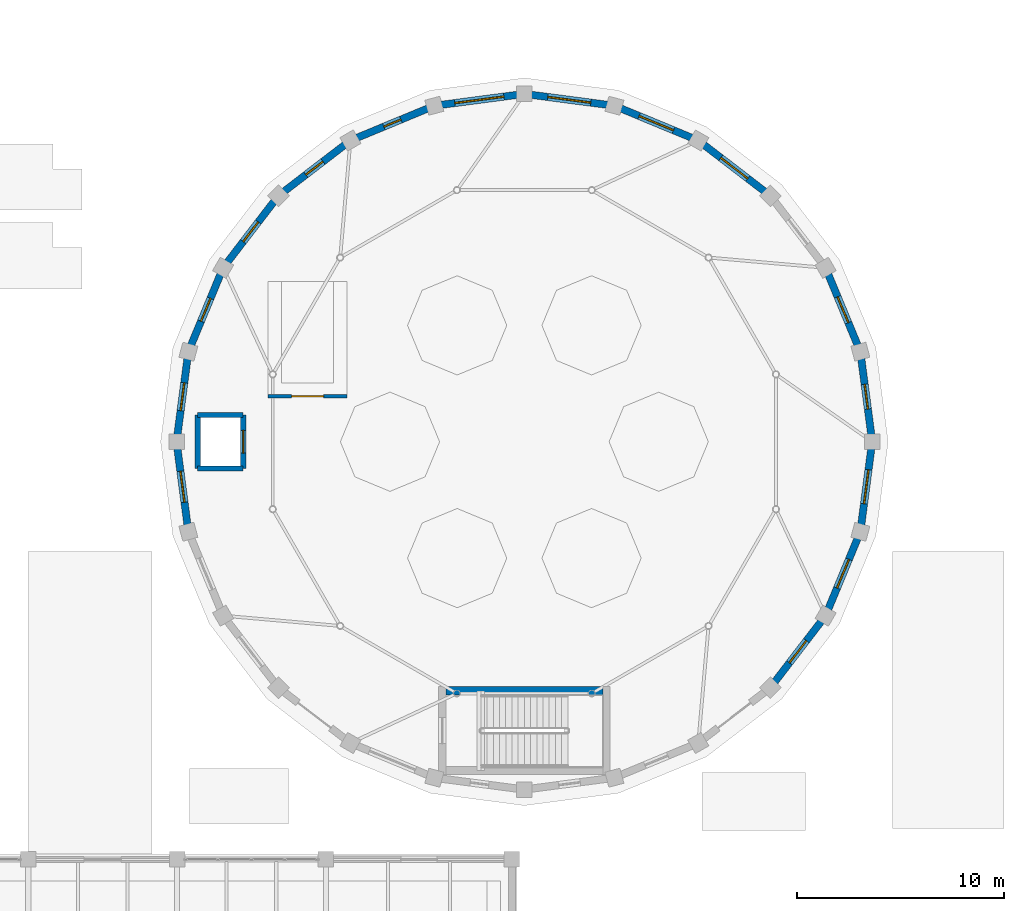
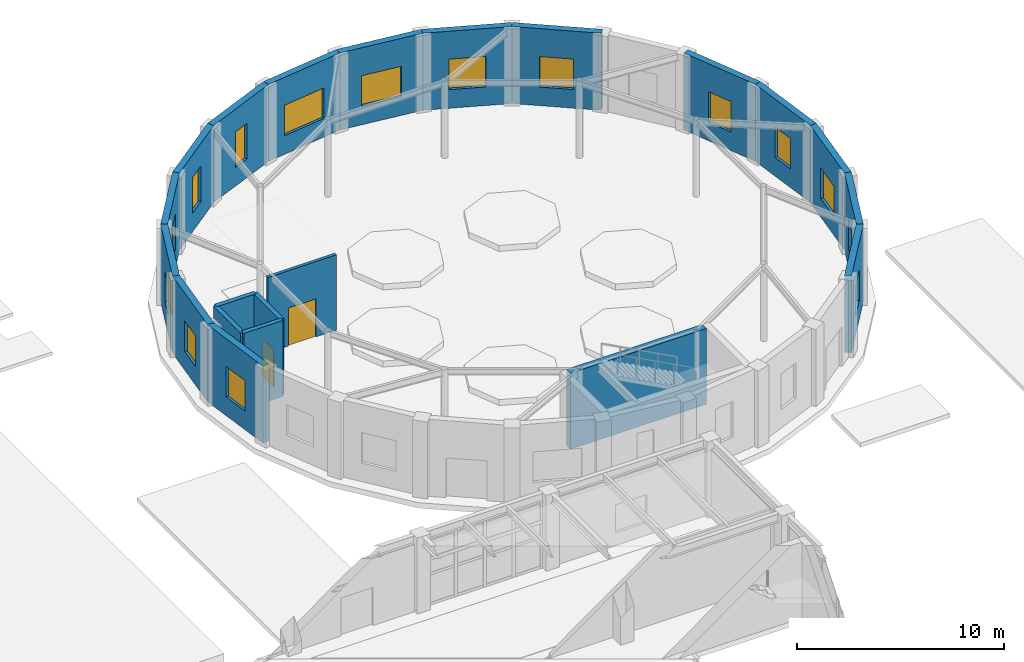
# One storey, part 28 of 39: 21 walls, 15 windows, 2 doors, 17 openings.
"""IFC4 building model written with IfcOpenShell, lengths in metres."""

from ifc_helpers import new_model, si_unit, direction, frame, frame_2d, origin, place, context, subcontext, project, spatial, rectangle, extrude, material, layer, layer_set, type_object, element, fill, save


model = new_model("IFC4")

# Units and contexts
model_context = context("Model", 3, precision=1e-05, world=origin(), true_north=direction((0.0, 1.0)))
body_context = subcontext(model_context, "Body", "Model", "MODEL_VIEW")
ifc_project = project(units=[si_unit("LENGTHUNIT", "METRE"), si_unit("AREAUNIT", "SQUARE_METRE"), si_unit("VOLUMEUNIT", "CUBIC_METRE"), si_unit("PLANEANGLEUNIT", "RADIAN"), si_unit("MASSUNIT", "GRAM", prefix="KILO")], contexts=[model_context])

# Site, building, storey
site_placement = place(None, origin())
site = spatial("IfcSite", under=ifc_project, at=site_placement, CompositionType="ELEMENT")
building_placement = place(site_placement, origin())
building = spatial("IfcBuilding", under=site, at=building_placement, Name="Kandorven Conservatory and Botanical Research Centre", CompositionType="ELEMENT")
storey_placement = place(building_placement, origin())
storey = spatial("IfcBuildingStorey", under=building, at=storey_placement, Name="L00", CompositionType="ELEMENT", Elevation=0.0)

# Walls
ifc_material_1 = material(Name="Concrete C40/50 (M50)", Category="concrete")
ifc_layer_1 = layer(ifc_material_1, 0.39990234375)
ifc_layer_set_1 = layer_set([ifc_layer_1], Name="Concrete C40/50 (M50)")
wall_type_1 = type_object("IfcWallType", Name="Wall_CW-RC-1", PredefinedType="SHEAR", material=ifc_layer_set_1)
wall_1_placement = place(storey_placement, frame((83.800048828125, 35.7548828125, 0.0), z_axis=(0.0, 0.0, 1.0), x_axis=(1.0, 0.0, 0.0)))
element("IfcWall", 1, at=wall_1_placement, inside=storey, type_object=wall_type_1, Name="Core stair shear wall CW-RC-1 ST-V1 L00 side B", PredefinedType="SHEAR", context=body_context, shape_type="SweptSolid", body=[
    extrude(rectangle(XDim=7.599853515625, YDim=0.39990234375, at=frame_2d((3.7998046875, 0.0))), origin(), (0.0, 0.0, 1.0), 4.47998046875),
])
ifc_material_2 = material(Name="Concrete C40/50 (M50)", Category="concrete")
ifc_layer_2 = layer(ifc_material_2, 0.35009765625)
ifc_layer_set_2 = layer_set([ifc_layer_2], Name="Concrete C40/50 (M50)")
wall_type_2 = type_object("IfcWallType", Name="Wall_CW-RC-2", PredefinedType="SHEAR", material=ifc_layer_set_2)
for number, where, z_axis, x_axis, name in (
    (2, (71.800048828125, 46.5, 0.0), (0.0, 0.0, 1.0), (1.0, 0.0, 0.0), "Lift shaft wall CL-1 L00 S"),
    (3, (71.800048828125, 49.10009765625, 0.0), (0.0, 0.0, 1.0), (1.0, 0.0, 0.0), "Lift shaft wall CL-1 L00 N"),
):
    element("IfcWall", number, at=place(storey_placement, frame(where, z_axis=z_axis, x_axis=x_axis)), inside=storey, type_object=wall_type_2, Name=name, PredefinedType="SHEAR", context=body_context, shape_type="SweptSolid", body=[
        extrude(rectangle(XDim=2.199951171875, YDim=0.25, at=frame_2d((1.10009765625, 0.0))), origin(), (0.0, 0.0, 1.0), 4.47998046875),
    ])
wall_2_placement = place(storey_placement, frame((71.800048828125, 46.5, 0.0), z_axis=(0.0, 0.0, 1.0), x_axis=(0.0, 1.0, 0.0)))
element("IfcWall", 4, at=wall_2_placement, inside=storey, type_object=wall_type_2, Name="Lift shaft wall CL-1 L00 W", PredefinedType="SHEAR", context=body_context, shape_type="SweptSolid", body=[
    extrude(rectangle(XDim=2.60009765625, YDim=0.25, at=frame_2d((1.300048828125, 0.0))), origin(), (0.0, 0.0, 1.0), 4.47998046875),
])

# Wall, opening, door
wall_3_placement = place(storey_placement, frame((74.0, 46.5, 0.0), z_axis=(0.0, 0.0, 1.0), x_axis=(0.0, 1.0, 0.0)))
wall_3 = element("IfcWall", 5, at=wall_3_placement, inside=storey, type_object=wall_type_2, Name="Lift shaft wall CL-1 L00 E", PredefinedType="SHEAR", context=body_context, shape_type="SweptSolid", body=[
    extrude(rectangle(XDim=2.60009765625, YDim=0.25, at=frame_2d((1.300048828125, 0.0))), origin(), (0.0, 0.0, 1.0), 4.47998046875),
])
opening_1_placement = place(wall_3_placement, frame((0.75, 0.0, 0.0)))
opening_1 = element("IfcOpeningElement", 6, at=opening_1_placement, cuts=wall_3, Name="Opening LD-01", PredefinedType="OPENING", context=body_context, shape_type="SweptSolid", body=[
    extrude(rectangle(XDim=1.10009765625, YDim=2.199951171875, at=frame_2d((0.550048828125, 1.10009765625))), frame((0.0, 0.135009765625, 0.0), z_axis=(0.0, -1.0, 0.0), x_axis=(1.0, 0.0, 0.0)), (0.0, 0.0, 1.0), 0.27001953125),
])
ifc_material_3 = material(Name="Anodised aluminium sliding landing door", Category="aluminium")
door_type_1 = type_object("IfcDoorType", Name="Door_LD-01", OperationType="DOUBLE_DOOR_SLIDING", PredefinedType="DOOR", material=ifc_material_3)
door_1_placement = place(opening_1_placement, origin())
door_1 = element("IfcDoor", 7, at=door_1_placement, inside=storey, type_object=door_type_1, Name="Lift landing sliding door LD-01 (CL-1 L00)", OperationType="DOUBLE_DOOR_SLIDING", OverallHeight=2.199951171875, OverallWidth=1.10009765625, PredefinedType="DOOR", context=body_context, shape_type="SweptSolid", body=[
    extrude(rectangle(XDim=1.10009765625, YDim=2.199951171875, at=frame_2d((0.550048828125, 1.10009765625))), frame((0.0, 0.02490234375, 0.0), z_axis=(0.0, -1.0, 0.0), x_axis=(1.0, 0.0, 0.0)), (0.0, 0.0, 1.0), 0.050048828125),
])
fill(opening_1, door_1)

# Wall, opening, window
ifc_material_4 = material(Name="Concrete C40/50 (M50)", Category="concrete")
ifc_layer_3 = layer(ifc_material_4, 0.35009765625)
ifc_layer_set_3 = layer_set([ifc_layer_3], Name="Concrete C40/50 (M50)")
wall_type_3 = type_object("IfcWallType", Name="Wall_EW-DR-01", PredefinedType="STANDARD", material=ifc_layer_set_3)
wall_4_placement = place(storey_placement, frame((104.425048828125, 47.800048828125, 0.0), z_axis=(0.0, 0.0, 1.0), x_axis=(-0.130517780591, 0.991445968749, 0.0)))
wall_4 = element("IfcWall", 8, at=wall_4_placement, inside=storey, type_object=wall_type_3, Name="Conservatory board-marked concrete drum wall S01", PredefinedType="STANDARD", context=body_context, shape_type="SweptSolid", body=[
    extrude(rectangle(XDim=4.39208984375, YDim=0.35009765625, at=frame_2d((2.196044921875, 0.0))), origin(), (0.0, 0.0, 1.0), 4.550048828125),
])
opening_2_placement = place(wall_4_placement, frame((1.59619140625, 0.0, 1.10009765625)))
opening_2 = element("IfcOpeningElement", 9, at=opening_2_placement, cuts=wall_4, Name="Opening W-01", PredefinedType="OPENING", context=body_context, shape_type="SweptSolid", body=[
    extrude(rectangle(XDim=1.199951171875, YDim=1.800048828125, at=frame_2d((0.60009765625, 0.89990234375))), frame((0.0, 0.18505859375, 0.0), z_axis=(0.0, -1.0, 0.0), x_axis=(1.0, 0.0, 0.0)), (0.0, 0.0, 1.0), 0.3701171875),
])
ifc_material_5 = material(Name="Double-glazed solar-control low-E glass", Category="glass")
window_type_1 = type_object("IfcWindowType", Name="Win_W-01", PartitioningType="DOUBLE_PANEL_VERTICAL", PredefinedType="WINDOW", material=ifc_material_5)
window_1_placement = place(opening_2_placement, origin())
window_1 = element("IfcWindow", 10, at=window_1_placement, inside=storey, type_object=window_type_1, Name="Conservatory splayed drum window W-01", OverallHeight=1.800048828125, OverallWidth=1.199951171875, PartitioningType="SINGLE_PANEL", PredefinedType="WINDOW", context=body_context, shape_type="SweptSolid", body=[
    extrude(rectangle(XDim=1.199951171875, YDim=1.800048828125, at=frame_2d((0.60009765625, 0.89990234375))), frame((0.0, 0.030029296875, 0.0), z_axis=(0.0, -1.0, 0.0), x_axis=(1.0, 0.0, 0.0)), (0.0, 0.0, 1.0), 0.06005859375),
])
fill(opening_2, window_1)

wall_5_placement = place(storey_placement, frame((103.851806640625, 52.154541015625, 0.0), z_axis=(0.0, 0.0, 1.0), x_axis=(-0.382700340551, 0.92387252873, 0.0)))
wall_5 = element("IfcWall", 11, at=wall_5_placement, inside=storey, type_object=wall_type_3, Name="Conservatory board-marked concrete drum wall S02", PredefinedType="STANDARD", context=body_context, shape_type="SweptSolid", body=[
    extrude(rectangle(XDim=4.392333984375, YDim=0.35009765625, at=frame_2d((2.1962890625, 0.0))), origin(), (0.0, 0.0, 1.0), 4.550048828125),
])
opening_3_placement = place(wall_5_placement, frame((1.52099609375, 0.0, 1.10009765625)))
opening_3 = element("IfcOpeningElement", 12, at=opening_3_placement, cuts=wall_5, Name="Opening W-02", PredefinedType="OPENING", context=body_context, shape_type="SweptSolid", body=[
    extrude(rectangle(XDim=1.35009765625, YDim=1.800048828125, at=frame_2d((0.675048828125, 0.89990234375))), frame((0.0, 0.18505859375, 0.0), z_axis=(0.0, -1.0, 0.0), x_axis=(1.0, 0.0, 0.0)), (0.0, 0.0, 1.0), 0.3701171875),
])
ifc_material_6 = material(Name="Double-glazed solar-control low-E glass", Category="glass")
window_type_2 = type_object("IfcWindowType", Name="Win_W-02", PartitioningType="DOUBLE_PANEL_VERTICAL", PredefinedType="WINDOW", material=ifc_material_6)
window_2_placement = place(opening_3_placement, origin())
window_2 = element("IfcWindow", 13, at=window_2_placement, inside=storey, type_object=window_type_2, Name="Conservatory splayed drum window W-02", OverallHeight=1.800048828125, OverallWidth=1.35009765625, PartitioningType="SINGLE_PANEL", PredefinedType="WINDOW", context=body_context, shape_type="SweptSolid", body=[
    extrude(rectangle(XDim=1.35009765625, YDim=1.800048828125, at=frame_2d((0.675048828125, 0.89990234375))), frame((0.0, 0.030029296875, 0.0), z_axis=(0.0, -1.0, 0.0), x_axis=(1.0, 0.0, 0.0)), (0.0, 0.0, 1.0), 0.06005859375),
])
fill(opening_3, window_2)

wall_6_placement = place(storey_placement, frame((99.4970703125, 59.697021484375, 0.0), z_axis=(0.0, 0.0, 1.0), x_axis=(-0.793354899977, 0.608759396381, 0.0)))
wall_6 = element("IfcWall", 14, at=wall_6_placement, inside=storey, type_object=wall_type_3, Name="Conservatory board-marked concrete drum wall S04", PredefinedType="STANDARD", context=body_context, shape_type="SweptSolid", body=[
    extrude(rectangle(XDim=4.392333984375, YDim=0.35009765625, at=frame_2d((2.1962890625, 0.0))), origin(), (0.0, 0.0, 1.0), 4.550048828125),
])
opening_4_placement = place(wall_6_placement, frame((1.37109375, 0.0, 1.10009765625)))
opening_4 = element("IfcOpeningElement", 15, at=opening_4_placement, cuts=wall_6, Name="Opening W-04", PredefinedType="OPENING", context=body_context, shape_type="SweptSolid", body=[
    extrude(rectangle(XDim=1.64990234375, YDim=1.800048828125, at=frame_2d((0.824951171875, 0.89990234375))), frame((0.0, 0.18505859375, 0.0), z_axis=(0.0, -1.0, 0.0), x_axis=(1.0, 0.0, 0.0)), (0.0, 0.0, 1.0), 0.3701171875),
])
ifc_material_7 = material(Name="Double-glazed solar-control low-E glass", Category="glass")
window_type_3 = type_object("IfcWindowType", Name="Win_W-04", PartitioningType="DOUBLE_PANEL_VERTICAL", PredefinedType="WINDOW", material=ifc_material_7)
window_3_placement = place(opening_4_placement, origin())
window_3 = element("IfcWindow", 16, at=window_3_placement, inside=storey, type_object=window_type_3, Name="Conservatory splayed drum window W-04", OverallHeight=1.800048828125, OverallWidth=1.64990234375, PartitioningType="SINGLE_PANEL", PredefinedType="WINDOW", context=body_context, shape_type="SweptSolid", body=[
    extrude(rectangle(XDim=1.64990234375, YDim=1.800048828125, at=frame_2d((0.824951171875, 0.89990234375))), frame((0.0, 0.030029296875, 0.0), z_axis=(0.0, -1.0, 0.0), x_axis=(1.0, 0.0, 0.0)), (0.0, 0.0, 1.0), 0.06005859375),
])
fill(opening_4, window_3)

wall_7_placement = place(storey_placement, frame((96.012451171875, 62.370849609375, 0.0), z_axis=(0.0, 0.0, 1.0), x_axis=(-0.92387252873, 0.382700340551, 0.0)))
wall_7 = element("IfcWall", 17, at=wall_7_placement, inside=storey, type_object=wall_type_3, Name="Conservatory board-marked concrete drum wall S05", PredefinedType="STANDARD", context=body_context, shape_type="SweptSolid", body=[
    extrude(rectangle(XDim=4.392333984375, YDim=0.35009765625, at=frame_2d((2.1962890625, 0.0))), origin(), (0.0, 0.0, 1.0), 4.550048828125),
])
opening_5_placement = place(wall_7_placement, frame((1.296142578125, 0.0, 1.10009765625)))
opening_5 = element("IfcOpeningElement", 18, at=opening_5_placement, cuts=wall_7, Name="Opening W-05", PredefinedType="OPENING", context=body_context, shape_type="SweptSolid", body=[
    extrude(rectangle(XDim=1.800048828125, YDim=1.800048828125, at=frame_2d((0.89990234375, 0.89990234375))), frame((0.0, 0.18505859375, 0.0), z_axis=(0.0, -1.0, 0.0), x_axis=(1.0, 0.0, 0.0)), (0.0, 0.0, 1.0), 0.3701171875),
])
ifc_material_8 = material(Name="Double-glazed solar-control low-E glass", Category="glass")
window_type_4 = type_object("IfcWindowType", Name="Win_W-05", PartitioningType="DOUBLE_PANEL_VERTICAL", PredefinedType="WINDOW", material=ifc_material_8)
window_4_placement = place(opening_5_placement, origin())
window_4 = element("IfcWindow", 19, at=window_4_placement, inside=storey, type_object=window_type_4, Name="Conservatory splayed drum window W-05", OverallHeight=1.800048828125, OverallWidth=1.800048828125, PartitioningType="SINGLE_PANEL", PredefinedType="WINDOW", context=body_context, shape_type="SweptSolid", body=[
    extrude(rectangle(XDim=1.800048828125, YDim=1.800048828125, at=frame_2d((0.89990234375, 0.89990234375))), frame((0.0, 0.030029296875, 0.0), z_axis=(0.0, -1.0, 0.0), x_axis=(1.0, 0.0, 0.0)), (0.0, 0.0, 1.0), 0.06005859375),
])
fill(opening_5, window_4)

wall_8_placement = place(storey_placement, frame((91.95458984375, 64.0517578125, 0.0), z_axis=(0.0, 0.0, 1.0), x_axis=(-0.991445968749, 0.130517780591, 0.0)))
wall_8 = element("IfcWall", 20, at=wall_8_placement, inside=storey, type_object=wall_type_3, Name="Conservatory board-marked concrete drum wall S06", PredefinedType="STANDARD", context=body_context, shape_type="SweptSolid", body=[
    extrude(rectangle(XDim=4.39208984375, YDim=0.35009765625, at=frame_2d((2.196044921875, 0.0))), origin(), (0.0, 0.0, 1.0), 4.550048828125),
])
opening_6_placement = place(wall_8_placement, frame((1.14599609375, 0.0, 1.10009765625)))
opening_6 = element("IfcOpeningElement", 21, at=opening_6_placement, cuts=wall_8, Name="Opening W-06", PredefinedType="OPENING", context=body_context, shape_type="SweptSolid", body=[
    extrude(rectangle(XDim=2.10009765625, YDim=1.800048828125, at=frame_2d((1.050048828125, 0.89990234375))), frame((0.0, 0.18505859375, 0.0), z_axis=(0.0, -1.0, 0.0), x_axis=(1.0, 0.0, 0.0)), (0.0, 0.0, 1.0), 0.3701171875),
])
ifc_material_9 = material(Name="Double-glazed solar-control low-E glass", Category="glass")
window_type_5 = type_object("IfcWindowType", Name="Win_W-06", PartitioningType="DOUBLE_PANEL_VERTICAL", PredefinedType="WINDOW", material=ifc_material_9)
window_5_placement = place(opening_6_placement, origin())
window_5 = element("IfcWindow", 22, at=window_5_placement, inside=storey, type_object=window_type_5, Name="Conservatory splayed drum window W-06", OverallHeight=1.800048828125, OverallWidth=2.10009765625, PartitioningType="SINGLE_PANEL", PredefinedType="WINDOW", context=body_context, shape_type="SweptSolid", body=[
    extrude(rectangle(XDim=2.10009765625, YDim=1.800048828125, at=frame_2d((1.050048828125, 0.89990234375))), frame((0.0, 0.030029296875, 0.0), z_axis=(0.0, -1.0, 0.0), x_axis=(1.0, 0.0, 0.0)), (0.0, 0.0, 1.0), 0.06005859375),
])
fill(opening_6, window_5)

wall_9_placement = place(storey_placement, frame((87.60009765625, 64.625, 0.0), z_axis=(0.0, 0.0, 1.0), x_axis=(-0.991446915586, -0.13051058798, 0.0)))
wall_9 = element("IfcWall", 23, at=wall_9_placement, inside=storey, type_object=wall_type_3, Name="Conservatory board-marked concrete drum wall S07", PredefinedType="STANDARD", context=body_context, shape_type="SweptSolid", body=[
    extrude(rectangle(XDim=4.392333984375, YDim=0.35009765625, at=frame_2d((2.1962890625, 0.0))), origin(), (0.0, 0.0, 1.0), 4.550048828125),
])
opening_7_placement = place(wall_9_placement, frame((0.99609375, 0.0, 1.10009765625)))
opening_7 = element("IfcOpeningElement", 24, at=opening_7_placement, cuts=wall_9, Name="Opening W-07", PredefinedType="OPENING", context=body_context, shape_type="SweptSolid", body=[
    extrude(rectangle(XDim=2.39990234375, YDim=1.800048828125, at=frame_2d((1.199951171875, 0.89990234375))), frame((0.0, 0.18505859375, 0.0), z_axis=(0.0, -1.0, 0.0), x_axis=(1.0, 0.0, 0.0)), (0.0, 0.0, 1.0), 0.3701171875),
])
ifc_material_10 = material(Name="Double-glazed solar-control low-E glass", Category="glass")
window_type_6 = type_object("IfcWindowType", Name="Win_W-07", PartitioningType="DOUBLE_PANEL_VERTICAL", PredefinedType="WINDOW", material=ifc_material_10)
window_6_placement = place(opening_7_placement, origin())
window_6 = element("IfcWindow", 25, at=window_6_placement, inside=storey, type_object=window_type_6, Name="Conservatory splayed drum window W-07", OverallHeight=1.800048828125, OverallWidth=2.39990234375, PartitioningType="SINGLE_PANEL", PredefinedType="WINDOW", context=body_context, shape_type="SweptSolid", body=[
    extrude(rectangle(XDim=2.39990234375, YDim=1.800048828125, at=frame_2d((1.199951171875, 0.89990234375))), frame((0.0, 0.030029296875, 0.0), z_axis=(0.0, -1.0, 0.0), x_axis=(1.0, 0.0, 0.0)), (0.0, 0.0, 1.0), 0.06005859375),
])
fill(opening_7, window_6)

wall_10_placement = place(storey_placement, frame((83.245361328125, 64.0517578125, 0.0), z_axis=(0.0, 0.0, 1.0), x_axis=(-0.92387252873, -0.382700340551, 0.0)))
wall_10 = element("IfcWall", 26, at=wall_10_placement, inside=storey, type_object=wall_type_3, Name="Conservatory board-marked concrete drum wall S08", PredefinedType="STANDARD", context=body_context, shape_type="SweptSolid", body=[
    extrude(rectangle(XDim=4.392333984375, YDim=0.35009765625, at=frame_2d((2.1962890625, 0.0))), origin(), (0.0, 0.0, 1.0), 4.550048828125),
])
opening_8_placement = place(wall_10_placement, frame((1.74609375, 0.0, 1.10009765625)))
opening_8 = element("IfcOpeningElement", 27, at=opening_8_placement, cuts=wall_10, Name="Opening W-08", PredefinedType="OPENING", context=body_context, shape_type="SweptSolid", body=[
    extrude(rectangle(XDim=0.89990234375, YDim=2.10009765625, at=frame_2d((0.449951171875, 1.050048828125))), frame((0.0, 0.18505859375, 0.0), z_axis=(0.0, -1.0, 0.0), x_axis=(1.0, 0.0, 0.0)), (0.0, 0.0, 1.0), 0.3701171875),
])
ifc_material_11 = material(Name="Double-glazed solar-control low-E glass", Category="glass")
window_type_7 = type_object("IfcWindowType", Name="Win_W-08", PartitioningType="DOUBLE_PANEL_VERTICAL", PredefinedType="WINDOW", material=ifc_material_11)
window_7_placement = place(opening_8_placement, origin())
window_7 = element("IfcWindow", 28, at=window_7_placement, inside=storey, type_object=window_type_7, Name="Conservatory splayed drum window W-08", OverallHeight=2.10009765625, OverallWidth=0.89990234375, PartitioningType="SINGLE_PANEL", PredefinedType="WINDOW", context=body_context, shape_type="SweptSolid", body=[
    extrude(rectangle(XDim=0.89990234375, YDim=2.10009765625, at=frame_2d((0.449951171875, 1.050048828125))), frame((0.0, 0.030029296875, 0.0), z_axis=(0.0, -1.0, 0.0), x_axis=(1.0, 0.0, 0.0)), (0.0, 0.0, 1.0), 0.06005859375),
])
fill(opening_8, window_7)

wall_11_placement = place(storey_placement, frame((79.1875, 62.370849609375, 0.0), z_axis=(0.0, 0.0, 1.0), x_axis=(-0.793354899977, -0.608759396381, 0.0)))
wall_11 = element("IfcWall", 29, at=wall_11_placement, inside=storey, type_object=wall_type_3, Name="Conservatory board-marked concrete drum wall S09", PredefinedType="STANDARD", context=body_context, shape_type="SweptSolid", body=[
    extrude(rectangle(XDim=4.392333984375, YDim=0.35009765625, at=frame_2d((2.1962890625, 0.0))), origin(), (0.0, 0.0, 1.0), 4.550048828125),
])
opening_9_placement = place(wall_11_placement, frame((1.671142578125, 0.0, 1.10009765625)))
opening_9 = element("IfcOpeningElement", 30, at=opening_9_placement, cuts=wall_11, Name="Opening W-09", PredefinedType="OPENING", context=body_context, shape_type="SweptSolid", body=[
    extrude(rectangle(XDim=1.050048828125, YDim=2.10009765625, at=frame_2d((0.52490234375, 1.050048828125))), frame((0.0, 0.18505859375, 0.0), z_axis=(0.0, -1.0, 0.0), x_axis=(1.0, 0.0, 0.0)), (0.0, 0.0, 1.0), 0.3701171875),
])
ifc_material_12 = material(Name="Double-glazed solar-control low-E glass", Category="glass")
window_type_8 = type_object("IfcWindowType", Name="Win_W-09", PartitioningType="DOUBLE_PANEL_VERTICAL", PredefinedType="WINDOW", material=ifc_material_12)
window_8_placement = place(opening_9_placement, origin())
window_8 = element("IfcWindow", 31, at=window_8_placement, inside=storey, type_object=window_type_8, Name="Conservatory splayed drum window W-09", OverallHeight=2.10009765625, OverallWidth=1.050048828125, PartitioningType="SINGLE_PANEL", PredefinedType="WINDOW", context=body_context, shape_type="SweptSolid", body=[
    extrude(rectangle(XDim=1.050048828125, YDim=2.10009765625, at=frame_2d((0.52490234375, 1.050048828125))), frame((0.0, 0.030029296875, 0.0), z_axis=(0.0, -1.0, 0.0), x_axis=(1.0, 0.0, 0.0)), (0.0, 0.0, 1.0), 0.06005859375),
])
fill(opening_9, window_8)

wall_12_placement = place(storey_placement, frame((75.702880859375, 59.697021484375, 0.0), z_axis=(0.0, 0.0, 1.0), x_axis=(-0.608759396381, -0.793354899977, 0.0)))
wall_12 = element("IfcWall", 32, at=wall_12_placement, inside=storey, type_object=wall_type_3, Name="Conservatory board-marked concrete drum wall S10", PredefinedType="STANDARD", context=body_context, shape_type="SweptSolid", body=[
    extrude(rectangle(XDim=4.392333984375, YDim=0.35009765625, at=frame_2d((2.1962890625, 0.0))), origin(), (0.0, 0.0, 1.0), 4.550048828125),
])
opening_10_placement = place(wall_12_placement, frame((1.59619140625, 0.0, 1.10009765625)))
opening_10 = element("IfcOpeningElement", 33, at=opening_10_placement, cuts=wall_12, Name="Opening W-10", PredefinedType="OPENING", context=body_context, shape_type="SweptSolid", body=[
    extrude(rectangle(XDim=1.199951171875, YDim=2.10009765625, at=frame_2d((0.60009765625, 1.050048828125))), frame((0.0, 0.18505859375, 0.0), z_axis=(0.0, -1.0, 0.0), x_axis=(1.0, 0.0, 0.0)), (0.0, 0.0, 1.0), 0.3701171875),
])
ifc_material_13 = material(Name="Double-glazed solar-control low-E glass", Category="glass")
window_type_9 = type_object("IfcWindowType", Name="Win_W-10", PartitioningType="DOUBLE_PANEL_VERTICAL", PredefinedType="WINDOW", material=ifc_material_13)
window_9_placement = place(opening_10_placement, origin())
window_9 = element("IfcWindow", 34, at=window_9_placement, inside=storey, type_object=window_type_9, Name="Conservatory splayed drum window W-10", OverallHeight=2.10009765625, OverallWidth=1.199951171875, PartitioningType="SINGLE_PANEL", PredefinedType="WINDOW", context=body_context, shape_type="SweptSolid", body=[
    extrude(rectangle(XDim=1.199951171875, YDim=2.10009765625, at=frame_2d((0.60009765625, 1.050048828125))), frame((0.0, 0.030029296875, 0.0), z_axis=(0.0, -1.0, 0.0), x_axis=(1.0, 0.0, 0.0)), (0.0, 0.0, 1.0), 0.06005859375),
])
fill(opening_10, window_9)

wall_13_placement = place(storey_placement, frame((73.029052734375, 56.21240234375, 0.0), z_axis=(0.0, 0.0, 1.0), x_axis=(-0.382652895287, -0.923892180792, 0.0)))
wall_13 = element("IfcWall", 35, at=wall_13_placement, inside=storey, type_object=wall_type_3, Name="Conservatory board-marked concrete drum wall S11", PredefinedType="STANDARD", context=body_context, shape_type="SweptSolid", body=[
    extrude(rectangle(XDim=4.39208984375, YDim=0.35009765625, at=frame_2d((2.196044921875, 0.0))), origin(), (0.0, 0.0, 1.0), 4.550048828125),
])
opening_11_placement = place(wall_13_placement, frame((1.59619140625, 0.0, 1.10009765625)))
opening_11 = element("IfcOpeningElement", 36, at=opening_11_placement, cuts=wall_13, Name="Opening W-01", PredefinedType="OPENING", context=body_context, shape_type="SweptSolid", body=[
    extrude(rectangle(XDim=1.199951171875, YDim=1.800048828125, at=frame_2d((0.60009765625, 0.89990234375))), frame((0.0, 0.18505859375, 0.0), z_axis=(0.0, -1.0, 0.0), x_axis=(1.0, 0.0, 0.0)), (0.0, 0.0, 1.0), 0.3701171875),
])
window_10_placement = place(opening_11_placement, origin())
window_10 = element("IfcWindow", 37, at=window_10_placement, inside=storey, type_object=window_type_1, Name="Conservatory splayed drum window W-01", OverallHeight=1.800048828125, OverallWidth=1.199951171875, PartitioningType="SINGLE_PANEL", PredefinedType="WINDOW", context=body_context, shape_type="SweptSolid", body=[
    extrude(rectangle(XDim=1.199951171875, YDim=1.800048828125, at=frame_2d((0.60009765625, 0.89990234375))), frame((0.0, 0.030029296875, 0.0), z_axis=(0.0, -1.0, 0.0), x_axis=(1.0, 0.0, 0.0)), (0.0, 0.0, 1.0), 0.06005859375),
])
fill(opening_11, window_10)

wall_14_placement = place(storey_placement, frame((71.348388671875, 52.154541015625, 0.0), z_axis=(0.0, 0.0, 1.0), x_axis=(-0.130572419871, -0.991438774292, 0.0)))
wall_14 = element("IfcWall", 38, at=wall_14_placement, inside=storey, type_object=wall_type_3, Name="Conservatory board-marked concrete drum wall S12", PredefinedType="STANDARD", context=body_context, shape_type="SweptSolid", body=[
    extrude(rectangle(XDim=4.39208984375, YDim=0.35009765625, at=frame_2d((2.196044921875, 0.0))), origin(), (0.0, 0.0, 1.0), 4.550048828125),
])
opening_12_placement = place(wall_14_placement, frame((1.52099609375, 0.0, 1.10009765625)))
opening_12 = element("IfcOpeningElement", 39, at=opening_12_placement, cuts=wall_14, Name="Opening W-02", PredefinedType="OPENING", context=body_context, shape_type="SweptSolid", body=[
    extrude(rectangle(XDim=1.35009765625, YDim=1.800048828125, at=frame_2d((0.675048828125, 0.89990234375))), frame((0.0, 0.18505859375, 0.0), z_axis=(0.0, -1.0, 0.0), x_axis=(1.0, 0.0, 0.0)), (0.0, 0.0, 1.0), 0.3701171875),
])
window_11_placement = place(opening_12_placement, origin())
window_11 = element("IfcWindow", 40, at=window_11_placement, inside=storey, type_object=window_type_2, Name="Conservatory splayed drum window W-02", OverallHeight=1.800048828125, OverallWidth=1.35009765625, PartitioningType="SINGLE_PANEL", PredefinedType="WINDOW", context=body_context, shape_type="SweptSolid", body=[
    extrude(rectangle(XDim=1.35009765625, YDim=1.800048828125, at=frame_2d((0.675048828125, 0.89990234375))), frame((0.0, 0.030029296875, 0.0), z_axis=(0.0, -1.0, 0.0), x_axis=(1.0, 0.0, 0.0)), (0.0, 0.0, 1.0), 0.06005859375),
])
fill(opening_12, window_11)

wall_15_placement = place(storey_placement, frame((70.77490234375, 47.800048828125, 0.0), z_axis=(0.0, 0.0, 1.0), x_axis=(0.130565224353, -0.991439721914, 0.0)))
wall_15 = element("IfcWall", 41, at=wall_15_placement, inside=storey, type_object=wall_type_3, Name="Conservatory board-marked concrete drum wall S13", PredefinedType="STANDARD", context=body_context, shape_type="SweptSolid", body=[
    extrude(rectangle(XDim=4.392333984375, YDim=0.35009765625, at=frame_2d((2.1962890625, 0.0))), origin(), (0.0, 0.0, 1.0), 4.550048828125),
])
opening_13_placement = place(wall_15_placement, frame((1.446044921875, 0.0, 1.10009765625)))
opening_13 = element("IfcOpeningElement", 42, at=opening_13_placement, cuts=wall_15, Name="Opening W-03", PredefinedType="OPENING", context=body_context, shape_type="SweptSolid", body=[
    extrude(rectangle(XDim=1.5, YDim=1.800048828125, at=frame_2d((0.75, 0.89990234375))), frame((0.0, 0.18505859375, 0.0), z_axis=(0.0, -1.0, 0.0), x_axis=(1.0, 0.0, 0.0)), (0.0, 0.0, 1.0), 0.3701171875),
])
ifc_material_14 = material(Name="Double-glazed solar-control low-E glass", Category="glass")
window_type_10 = type_object("IfcWindowType", Name="Win_W-03", PartitioningType="DOUBLE_PANEL_VERTICAL", PredefinedType="WINDOW", material=ifc_material_14)
window_12_placement = place(opening_13_placement, origin())
window_12 = element("IfcWindow", 43, at=window_12_placement, inside=storey, type_object=window_type_10, Name="Conservatory splayed drum window W-03", OverallHeight=1.800048828125, OverallWidth=1.5, PartitioningType="SINGLE_PANEL", PredefinedType="WINDOW", context=body_context, shape_type="SweptSolid", body=[
    extrude(rectangle(XDim=1.5, YDim=1.800048828125, at=frame_2d((0.75, 0.89990234375))), frame((0.0, 0.030029296875, 0.0), z_axis=(0.0, -1.0, 0.0), x_axis=(1.0, 0.0, 0.0)), (0.0, 0.0, 1.0), 0.06005859375),
])
fill(opening_13, window_12)

wall_16_placement = place(storey_placement, frame((99.4970703125, 35.90283203125, 0.0), z_axis=(0.0, 0.0, 1.0), x_axis=(0.608759396381, 0.793354899977, 0.0)))
wall_16 = element("IfcWall", 44, at=wall_16_placement, inside=storey, type_object=wall_type_3, Name="Conservatory board-marked concrete drum wall S22", PredefinedType="STANDARD", context=body_context, shape_type="SweptSolid", body=[
    extrude(rectangle(XDim=4.392333984375, YDim=0.35009765625, at=frame_2d((2.1962890625, 0.0))), origin(), (0.0, 0.0, 1.0), 4.550048828125),
])
opening_14_placement = place(wall_16_placement, frame((1.52099609375, 0.0, 1.10009765625)))
opening_14 = element("IfcOpeningElement", 45, at=opening_14_placement, cuts=wall_16, Name="Opening W-02", PredefinedType="OPENING", context=body_context, shape_type="SweptSolid", body=[
    extrude(rectangle(XDim=1.35009765625, YDim=1.800048828125, at=frame_2d((0.675048828125, 0.89990234375))), frame((0.0, 0.18505859375, 0.0), z_axis=(0.0, -1.0, 0.0), x_axis=(1.0, 0.0, 0.0)), (0.0, 0.0, 1.0), 0.3701171875),
])
window_13_placement = place(opening_14_placement, origin())
window_13 = element("IfcWindow", 46, at=window_13_placement, inside=storey, type_object=window_type_2, Name="Conservatory splayed drum window W-02", OverallHeight=1.800048828125, OverallWidth=1.35009765625, PartitioningType="SINGLE_PANEL", PredefinedType="WINDOW", context=body_context, shape_type="SweptSolid", body=[
    extrude(rectangle(XDim=1.35009765625, YDim=1.800048828125, at=frame_2d((0.675048828125, 0.89990234375))), frame((0.0, 0.030029296875, 0.0), z_axis=(0.0, -1.0, 0.0), x_axis=(1.0, 0.0, 0.0)), (0.0, 0.0, 1.0), 0.06005859375),
])
fill(opening_14, window_13)

wall_17_placement = place(storey_placement, frame((102.1708984375, 39.387451171875, 0.0), z_axis=(0.0, 0.0, 1.0), x_axis=(0.382700340551, 0.92387252873, 0.0)))
wall_17 = element("IfcWall", 47, at=wall_17_placement, inside=storey, type_object=wall_type_3, Name="Conservatory board-marked concrete drum wall S23", PredefinedType="STANDARD", context=body_context, shape_type="SweptSolid", body=[
    extrude(rectangle(XDim=4.392333984375, YDim=0.35009765625, at=frame_2d((2.1962890625, 0.0))), origin(), (0.0, 0.0, 1.0), 4.550048828125),
])
opening_15_placement = place(wall_17_placement, frame((1.446044921875, 0.0, 1.10009765625)))
opening_15 = element("IfcOpeningElement", 48, at=opening_15_placement, cuts=wall_17, Name="Opening W-03", PredefinedType="OPENING", context=body_context, shape_type="SweptSolid", body=[
    extrude(rectangle(XDim=1.5, YDim=1.800048828125, at=frame_2d((0.75, 0.89990234375))), frame((0.0, 0.18505859375, 0.0), z_axis=(0.0, -1.0, 0.0), x_axis=(1.0, 0.0, 0.0)), (0.0, 0.0, 1.0), 0.3701171875),
])
window_14_placement = place(opening_15_placement, origin())
window_14 = element("IfcWindow", 49, at=window_14_placement, inside=storey, type_object=window_type_10, Name="Conservatory splayed drum window W-03", OverallHeight=1.800048828125, OverallWidth=1.5, PartitioningType="SINGLE_PANEL", PredefinedType="WINDOW", context=body_context, shape_type="SweptSolid", body=[
    extrude(rectangle(XDim=1.5, YDim=1.800048828125, at=frame_2d((0.75, 0.89990234375))), frame((0.0, 0.030029296875, 0.0), z_axis=(0.0, -1.0, 0.0), x_axis=(1.0, 0.0, 0.0)), (0.0, 0.0, 1.0), 0.06005859375),
])
fill(opening_15, window_14)

wall_18_placement = place(storey_placement, frame((103.851806640625, 43.4453125, 0.0), z_axis=(0.0, 0.0, 1.0), x_axis=(0.13051058798, 0.991446915586, 0.0)))
wall_18 = element("IfcWall", 50, at=wall_18_placement, inside=storey, type_object=wall_type_3, Name="Conservatory board-marked concrete drum wall S24", PredefinedType="STANDARD", context=body_context, shape_type="SweptSolid", body=[
    extrude(rectangle(XDim=4.392333984375, YDim=0.35009765625, at=frame_2d((2.1962890625, 0.0))), origin(), (0.0, 0.0, 1.0), 4.550048828125),
])
opening_16_placement = place(wall_18_placement, frame((1.37109375, 0.0, 1.10009765625)))
opening_16 = element("IfcOpeningElement", 51, at=opening_16_placement, cuts=wall_18, Name="Opening W-04", PredefinedType="OPENING", context=body_context, shape_type="SweptSolid", body=[
    extrude(rectangle(XDim=1.64990234375, YDim=1.800048828125, at=frame_2d((0.824951171875, 0.89990234375))), frame((0.0, 0.18505859375, 0.0), z_axis=(0.0, -1.0, 0.0), x_axis=(1.0, 0.0, 0.0)), (0.0, 0.0, 1.0), 0.3701171875),
])
window_15_placement = place(opening_16_placement, origin())
window_15 = element("IfcWindow", 52, at=window_15_placement, inside=storey, type_object=window_type_3, Name="Conservatory splayed drum window W-04", OverallHeight=1.800048828125, OverallWidth=1.64990234375, PartitioningType="SINGLE_PANEL", PredefinedType="WINDOW", context=body_context, shape_type="SweptSolid", body=[
    extrude(rectangle(XDim=1.64990234375, YDim=1.800048828125, at=frame_2d((0.824951171875, 0.89990234375))), frame((0.0, 0.030029296875, 0.0), z_axis=(0.0, -1.0, 0.0), x_axis=(1.0, 0.0, 0.0)), (0.0, 0.0, 1.0), 0.06005859375),
])
fill(opening_16, window_15)

# Wall, opening, door
ifc_material_15 = material(Name="Autoclaved aerated concrete blockwork masonry", Category="masonry")
ifc_layer_4 = layer(ifc_material_15, 0.172119140625)
ifc_layer_set_4 = layer_set([ifc_layer_4], Name="Autoclaved aerated concrete blockwork masonry")
wall_type_4 = type_object("IfcWallType", Name="Wall_IW-17", PredefinedType="PARTITIONING", material=ifc_layer_set_4)
wall_19_placement = place(storey_placement, frame((75.199951171875, 50.0, 0.0), z_axis=(0.0, 0.0, 1.0), x_axis=(1.0, 0.0, 0.0)))
wall_19 = element("IfcWall", 53, at=wall_19_placement, inside=storey, type_object=wall_type_4, Name="Interior partition wall IW-17 (Conservatory Plant Acclimatisation Bay)", PredefinedType="PARTITIONING", context=body_context, shape_type="SweptSolid", body=[
    extrude(rectangle(XDim=3.823974609375, YDim=0.172119140625, at=frame_2d((1.912109375, 0.0))), origin(), (0.0, 0.0, 1.0), 4.449951171875),
])
opening_17_placement = place(wall_19_placement, frame((1.136962890625, 0.0, 0.0)))
opening_17 = element("IfcOpeningElement", 54, at=opening_17_placement, cuts=wall_19, Name="Opening D-08", PredefinedType="OPENING", context=body_context, shape_type="SweptSolid", body=[
    extrude(rectangle(XDim=1.550048828125, YDim=2.25, at=frame_2d((0.77490234375, 1.125))), frame((0.0, 0.095947265625, 0.0), z_axis=(0.0, -1.0, 0.0), x_axis=(1.0, 0.0, 0.0)), (0.0, 0.0, 1.0), 0.192138671875),
])
ifc_material_16 = material(Name="Solid core acoustic teak-veneered timber leaf", Category="wood")
door_type_2 = type_object("IfcDoorType", Name="Door_D-08", OperationType="NOTDEFINED", PredefinedType="DOOR", material=ifc_material_16)
door_2_placement = place(opening_17_placement, origin())
door_2 = element("IfcDoor", 55, at=door_2_placement, inside=storey, type_object=door_type_2, Name="Interior door D-08 to Conservatory Plant Acclimatisation Bay", OperationType="DOUBLE_DOOR_SINGLE_SWING", OverallHeight=2.25, OverallWidth=1.550048828125, PredefinedType="DOOR", context=body_context, shape_type="SweptSolid", body=[
    extrude(rectangle(XDim=1.550048828125, YDim=2.25, at=frame_2d((0.77490234375, 1.125))), frame((0.0, 0.02490234375, 0.0), z_axis=(0.0, -1.0, 0.0), x_axis=(1.0, 0.0, 0.0)), (0.0, 0.0, 1.0), 0.050048828125),
])
fill(opening_17, door_2)

save(model, "model.ifc")
